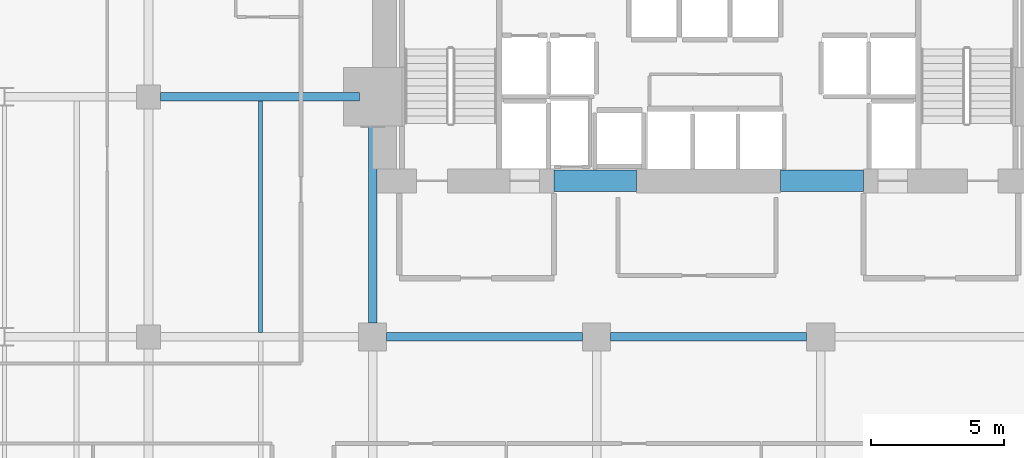
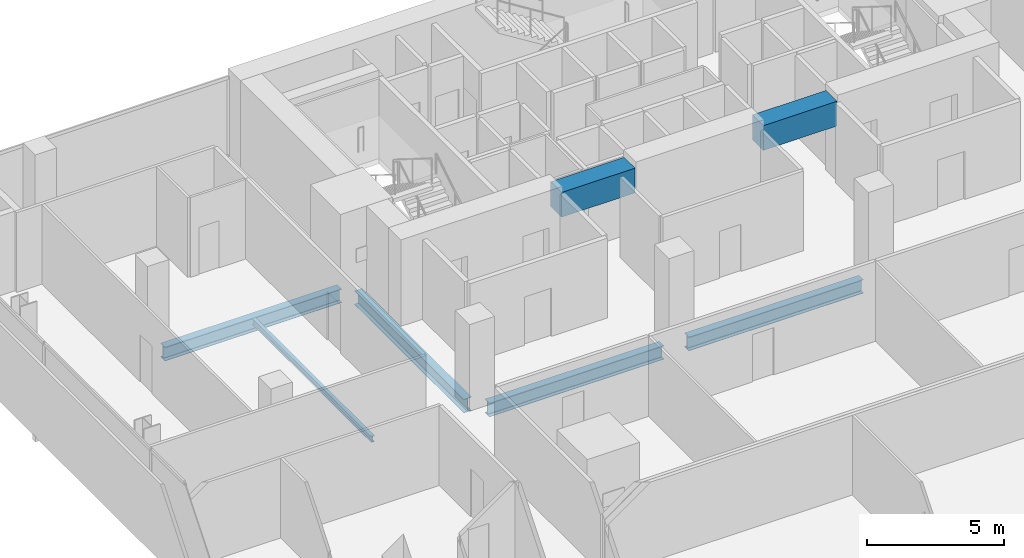
# One storey, part 24 of 39: 7 beams.
"""IFC4 building model written with IfcOpenShell, lengths in metres."""

from ifc_helpers import new_model, si_unit, direction, frame, origin, origin_2d, place, context, subcontext, project, spatial, rectangle, i_section, extrude, material, material_profile, profile_set, type_object, element, save


model = new_model("IFC4")

# Units and contexts
model_context = context("Model", 3, precision=1e-05, world=origin(), true_north=direction((0.0, 1.0)))
body_context = subcontext(model_context, "Body", "Model", "MODEL_VIEW")
ifc_project = project(units=[si_unit("LENGTHUNIT", "METRE"), si_unit("AREAUNIT", "SQUARE_METRE"), si_unit("VOLUMEUNIT", "CUBIC_METRE"), si_unit("PLANEANGLEUNIT", "RADIAN"), si_unit("MASSUNIT", "GRAM", prefix="KILO")], contexts=[model_context])

# Site, building, storey
site_placement = place(None, origin())
site = spatial("IfcSite", under=ifc_project, at=site_placement, CompositionType="ELEMENT")
building_placement = place(site_placement, origin())
building = spatial("IfcBuilding", under=site, at=building_placement, Name="Maruvema Waterfront Hotel and Observation Tower", CompositionType="ELEMENT")
storey_placement = place(building_placement, frame((0.0, 0.0, 111.64990234375)))
storey = spatial("IfcBuildingStorey", under=building, at=storey_placement, Name="L27", CompositionType="ELEMENT", Elevation=111.64990234375)

# Beams
ifc_material_1 = material(Name="Concrete C60/75", Category="concrete")
ifc_material_profile_1 = material_profile(ifc_material_1, rectangle(XDim=0.800048828125, YDim=1.10009765625, at=origin_2d()), Name="CB800x1100")
ifc_profile_set_1 = profile_set([ifc_material_profile_1], Name="Concrete C60/75")
beam_type_1 = type_object("IfcBeamType", Name="Core Coupling Lintel Beam CB800x1100", PredefinedType="LINTEL", material=ifc_profile_set_1)
for number, where, z_axis, x_axis, name in (
    (1, (32.0, 41.85009765625, 3.0), (1.0, 0.0, 0.0), (0.0, 1.0, 0.0), "L27 Core Coupling Lintel Beam West"),
    (2, (40.5, 41.85009765625, 3.0), (1.0, 0.0, 0.0), (0.0, 1.0, 0.0), "L27 Core Coupling Lintel Beam East"),
):
    element("IfcBeam", number, at=place(storey_placement, frame(where, z_axis=z_axis, x_axis=x_axis)), inside=storey, type_object=beam_type_1, Name=name, PredefinedType="LINTEL", context=body_context, shape_type="SweptSolid", body=[
        extrude(rectangle(XDim=0.800048828125, YDim=1.10009765625, at=origin_2d()), origin(), (0.0, 0.0, 1.0), 3.10009765625),
    ])
ifc_material_2 = material(Name="Steel ASTM A572 Grade 50", Category="steel")
ifc_material_profile_2 = material_profile(ifc_material_2, i_section(OverallWidth=0.323974609375, OverallDepth=0.611083984375, WebThickness=0.0126953125, FlangeThickness=0.01904296875, FilletRadius=0.01806640625, at=origin_2d()), Name="W610x155.0")
ifc_profile_set_2 = profile_set([ifc_material_profile_2], Name="Steel ASTM A572 Grade 50")
beam_type_2 = type_object("IfcBeamType", Name="Primary Floor Girder W610x155.0", PredefinedType="BEAM", material=ifc_profile_set_2)
beam_1_placement = place(storey_placement, frame((25.72509765625, 36.0, -0.54541015625), z_axis=(1.0, 0.0, 0.0), x_axis=(0.0, 1.0, 0.0)))
element("IfcBeam", 3, at=beam_1_placement, inside=storey, type_object=beam_type_2, Name="L27 Floor Girder EW-27", PredefinedType="BEAM", context=body_context, shape_type="SweptSolid", body=[
    extrude(i_section(OverallWidth=0.323974609375, OverallDepth=0.611083984375, WebThickness=0.0126953125, FlangeThickness=0.01904296875, FilletRadius=0.01806640625, at=origin_2d()), origin(), (0.0, 0.0, 1.0), 7.349853515625),
])
beam_2_placement = place(storey_placement, frame((34.125, 36.0, -0.54541015625), z_axis=(1.0, 0.0, 0.0), x_axis=(0.0, 1.0, 0.0)))
element("IfcBeam", 4, at=beam_2_placement, inside=storey, type_object=beam_type_2, Name="L27 Floor Girder EW-28", PredefinedType="BEAM", context=body_context, shape_type="SweptSolid", body=[
    extrude(i_section(OverallWidth=0.323974609375, OverallDepth=0.611083984375, WebThickness=0.0126953125, FlangeThickness=0.01904296875, FilletRadius=0.01806640625, at=origin_2d()), origin(), (0.0, 0.0, 1.0), 7.35009765625),
])
beam_3_placement = place(storey_placement, frame((17.25, 45.0, -0.54541015625), z_axis=(1.0, 0.0, 0.0), x_axis=(0.0, 1.0, 0.0)))
element("IfcBeam", 5, at=beam_3_placement, inside=storey, type_object=beam_type_2, Name="L27 Floor Girder EW-33", PredefinedType="BEAM", context=body_context, shape_type="SweptSolid", body=[
    extrude(i_section(OverallWidth=0.323974609375, OverallDepth=0.611083984375, WebThickness=0.0126953125, FlangeThickness=0.01904296875, FilletRadius=0.01806640625, at=origin_2d()), origin(), (0.0, 0.0, 1.0), 7.449951171875),
])
beam_4_placement = place(storey_placement, frame((25.199951171875, 36.52490234375, -0.54541015625), z_axis=(0.0, 1.0, 0.0), x_axis=(-1.0, 0.0, 0.0)))
element("IfcBeam", 6, at=beam_4_placement, inside=storey, type_object=beam_type_2, Name="L27 Floor Girder NS-15", PredefinedType="BEAM", context=body_context, shape_type="SweptSolid", body=[
    extrude(i_section(OverallWidth=0.323974609375, OverallDepth=0.611083984375, WebThickness=0.0126953125, FlangeThickness=0.01904296875, FilletRadius=0.01806640625, at=origin_2d()), origin(), (0.0, 0.0, 1.0), 7.97509765625),
])
ifc_material_3 = material(Name="Steel ASTM A572 Grade 50", Category="steel")
ifc_material_profile_3 = material_profile(ifc_material_3, i_section(OverallWidth=0.14794921875, OverallDepth=0.26611328125, WebThickness=0.007568359375, FlangeThickness=0.012939453125, FilletRadius=0.012939453125, at=origin_2d()), Name="W250x44.8")
ifc_profile_set_3 = profile_set([ifc_material_profile_3], Name="Steel ASTM A572 Grade 50")
beam_type_3 = type_object("IfcBeamType", Name="Secondary Floor Joist W250x44.8", PredefinedType="JOIST", material=ifc_profile_set_3)
beam_5_placement = place(storey_placement, frame((21.0, 36.162109375, -0.372802734375), z_axis=(0.0, 1.0, 0.0), x_axis=(-1.0, 0.0, 0.0)))
element("IfcBeam", 7, at=beam_5_placement, inside=storey, type_object=beam_type_3, Name="L27 Secondary Floor Joist JS-09", PredefinedType="JOIST", context=body_context, shape_type="SweptSolid", body=[
    extrude(i_section(OverallWidth=0.14794921875, OverallDepth=0.26611328125, WebThickness=0.007568359375, FlangeThickness=0.012939453125, FilletRadius=0.012939453125, at=origin_2d()), origin(), (0.0, 0.0, 1.0), 8.67578125),
])

save(model, "model.ifc")
